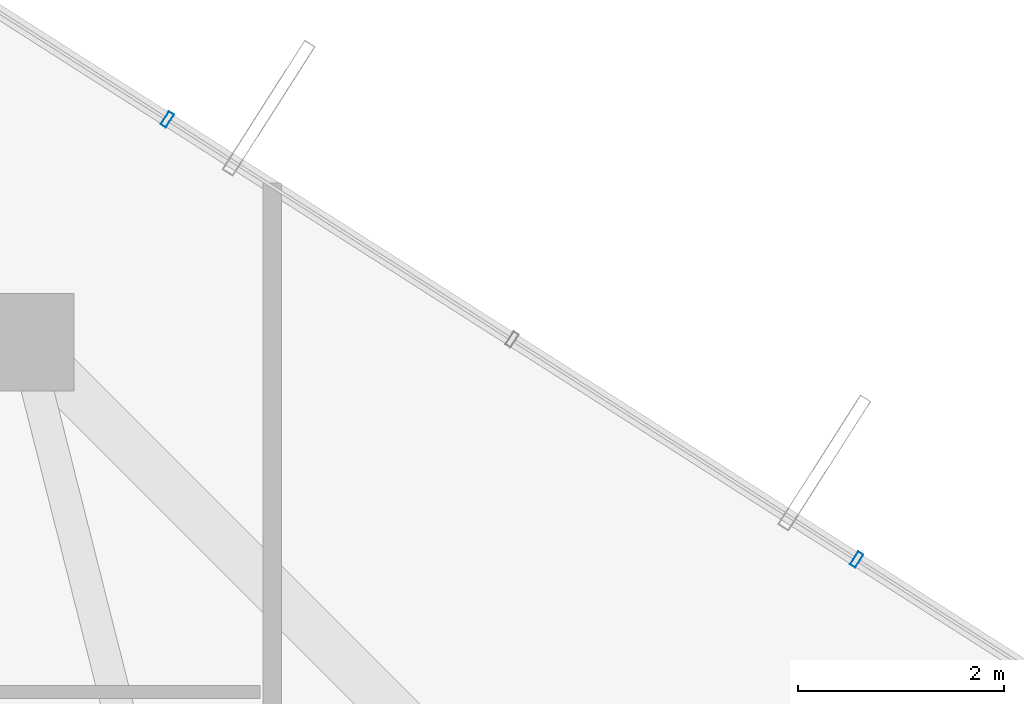
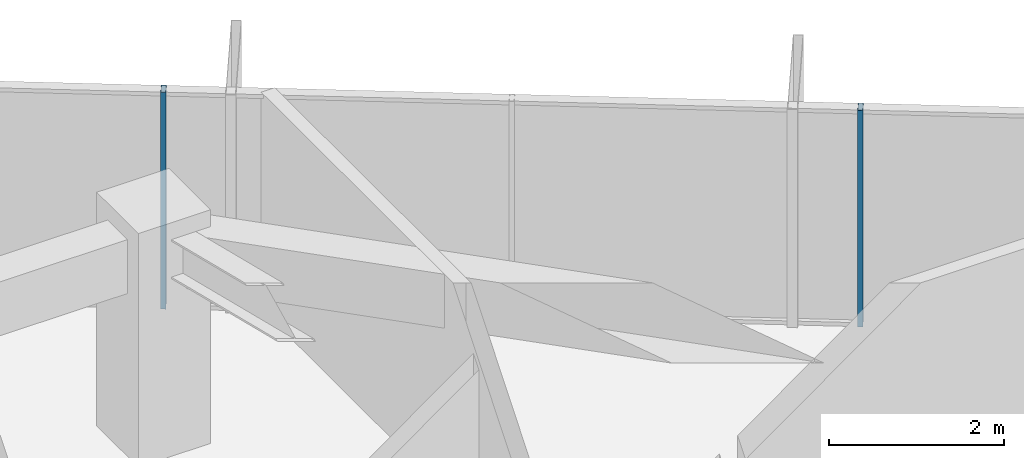
# One storey, part 23 of 29: 2 members, 1 element without a shape of its own.
"""IFC4 building model written with IfcOpenShell, lengths in metres."""

from ifc_helpers import new_model, si_unit, direction, frame, origin, origin_2d, place, context, subcontext, project, spatial, hollow_rectangle, extrude, source, transform, mapped, material, layer, layer_set, material_profile, profile_set, type_object, element, aggregate, save


model = new_model("IFC4")

# Units and contexts
model_context = context("Model", 3, precision=1e-05, world=origin(), true_north=direction((0.0, 1.0)))
body_context = subcontext(model_context, "Body", "Model", "MODEL_VIEW")
ifc_project = project(units=[si_unit("LENGTHUNIT", "METRE"), si_unit("AREAUNIT", "SQUARE_METRE"), si_unit("VOLUMEUNIT", "CUBIC_METRE"), si_unit("PLANEANGLEUNIT", "RADIAN"), si_unit("MASSUNIT", "GRAM", prefix="KILO")], contexts=[model_context])

# Site, building, storey
site_placement = place(None, origin())
site = spatial("IfcSite", under=ifc_project, at=site_placement, CompositionType="ELEMENT")
building_placement = place(site_placement, origin())
building = spatial("IfcBuilding", under=site, at=building_placement, Name="Veraguas Prism Commons", CompositionType="ELEMENT")
storey_placement = place(building_placement, frame((0.0, 0.0, 215.64990234375)))
storey = spatial("IfcBuildingStorey", under=building, at=storey_placement, Name="L61", CompositionType="ELEMENT", Elevation=215.64990234375)

# Curtain wall, members
ifc_material = material(Name="Anodised aluminium EN AW-6063 T6", Category="aluminium")
ifc_layer = layer(ifc_material, 0.14990234375, Name="Unitised Flush Curtain Wall Zone 3", Category="aluminium")
ifc_layer_set = layer_set([ifc_layer], Name="Anodised aluminium EN AW-6063 T6")
curtain_wall_type = type_object("IfcCurtainWallType", Name="Unitised Flush Curtain Wall Zone 3", PredefinedType="NOTDEFINED", material=ifc_layer_set)
curtain_wall_placement = place(storey_placement, origin())
curtain_wall = element("IfcCurtainWall", 1, at=curtain_wall_placement, inside=storey, type_object=curtain_wall_type, Name="Tower Facade Curtain Wall L61-F1", PredefinedType="NOTDEFINED")
ifc_material_profile = material_profile(ifc_material, hollow_rectangle(XDim=0.06005859375, YDim=0.14990234375, WallThickness=0.0029296875, at=origin_2d()), Name="AL60X150X3")
ifc_profile_set = profile_set([ifc_material_profile], Name="Anodised aluminium EN AW-6063 T6")
member_type = type_object("IfcMemberType", Name="Curtain Wall Mullion Upper AL 60x150x3", PredefinedType="MULLION", material=ifc_profile_set)
shared_shape = source(origin(), body_context, "Body", "SweptSolid", [
    extrude(hollow_rectangle(XDim=0.06005859375, YDim=0.14990234375, WallThickness=0.0029296875, at=origin_2d()), origin(), (0.0, 0.0, 1.0), 3.01513671875),
])
member_1_placement = place(storey_placement, frame((36.882080078125, 36.787109375, 0.0), z_axis=(0.0, 0.0, 1.0), x_axis=(-0.842828324641, 0.538182511035, 0.0)))
member_1 = element("IfcMember", 2, at=member_1_placement, type_object=member_type, Name="CW-Z3 Mullion 2", PredefinedType="MULLION", context=body_context, shape_type="MappedRepresentation", body=[
    mapped(shared_shape, transform((0.0, 0.0, 0.0), scale=1.0)),
])
member_2_placement = place(storey_placement, frame((30.1806640625, 41.06640625, 0.0), z_axis=(0.0, 0.0, 1.0), x_axis=(-0.842828324641, 0.538182511035, 0.0)))
member_2 = element("IfcMember", 3, at=member_2_placement, type_object=member_type, Name="CW-Z3 Mullion 4", PredefinedType="MULLION", context=body_context, shape_type="MappedRepresentation", body=[
    mapped(shared_shape, transform((0.0, 0.0, 0.0), scale=1.0)),
])
aggregate(curtain_wall, [member_1, member_2])

save(model, "model.ifc")
